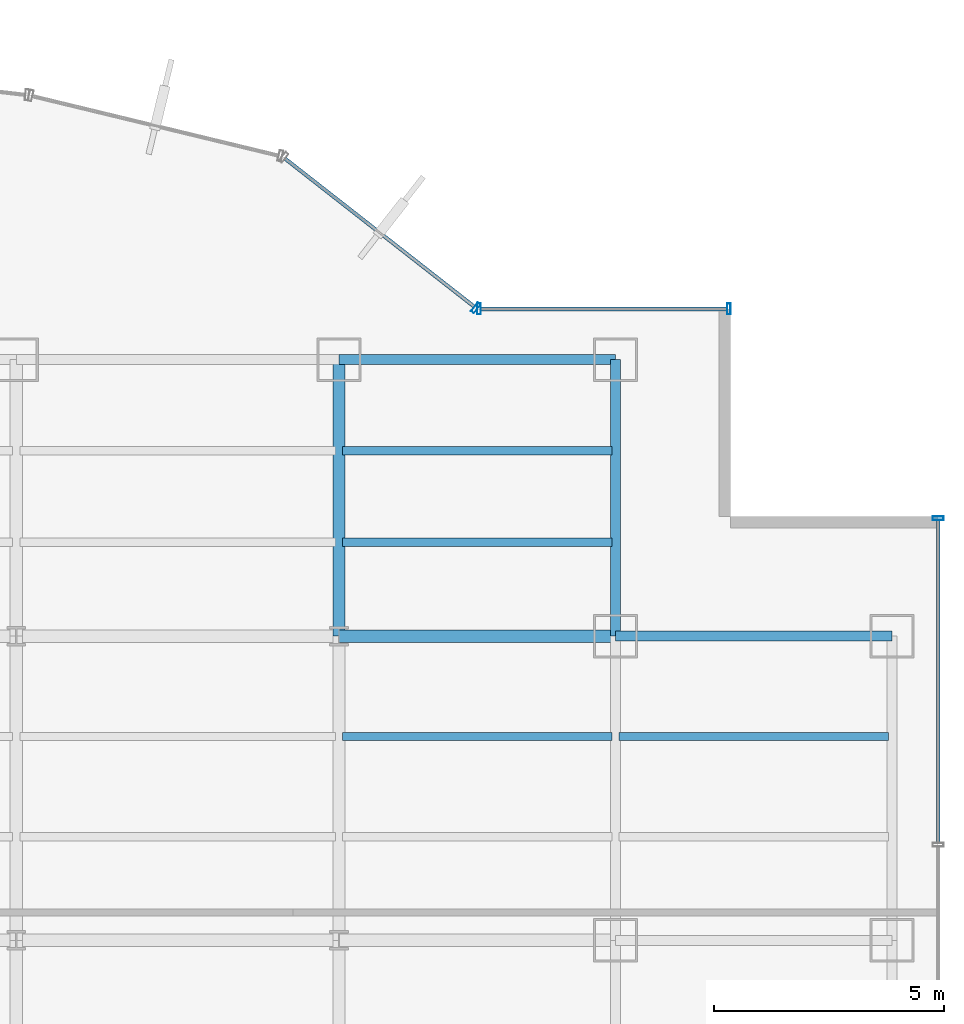
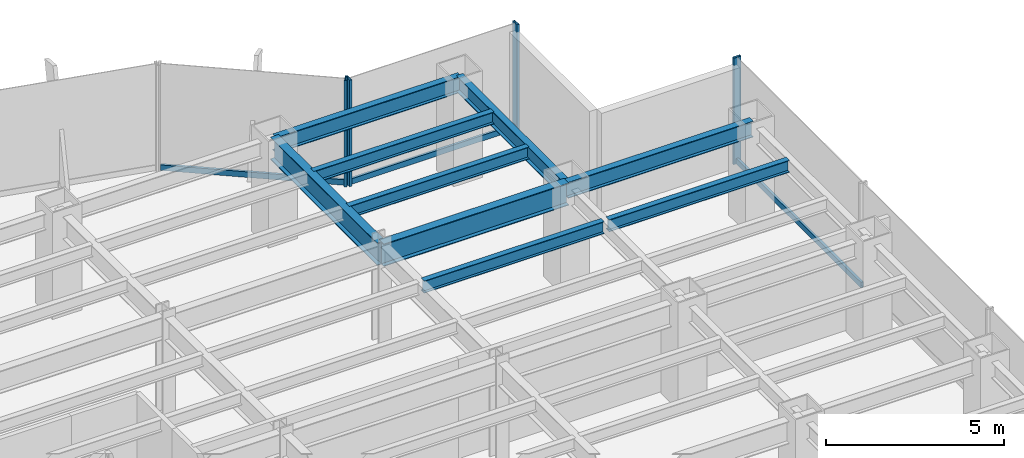
# One storey, part 15 of 22: 9 beams, 7 members, 3 elements without a shape of their own.
"""IFC4 building model written with IfcOpenShell, lengths in metres."""

from ifc_helpers import new_model, si_unit, derived_unit, direction, frame, origin, origin_2d, place, context, subcontext, project, spatial, hollow_rectangle, i_section, extrude, source, transform, mapped, material, material_profile, profile_set, type_object, element, aggregate, save


model = new_model("IFC4")

# Units and contexts
model_context = context("Model", 3, precision=1e-05, world=origin(), true_north=direction((0.0, 1.0)))
body_context = subcontext(model_context, "Body", "Model", "MODEL_VIEW")
ifc_project = project(units=[si_unit("LENGTHUNIT", "METRE"), si_unit("AREAUNIT", "SQUARE_METRE"), si_unit("VOLUMEUNIT", "CUBIC_METRE"), si_unit("PLANEANGLEUNIT", "RADIAN"), si_unit("MASSUNIT", "GRAM", prefix="KILO"), derived_unit("THERMALTRANSMITTANCEUNIT", [(si_unit("POWERUNIT", "WATT"), 1), (si_unit("LENGTHUNIT", "METRE"), -2), (si_unit("THERMODYNAMICTEMPERATUREUNIT", "KELVIN"), -1)])], contexts=[model_context])

# Site, building, storey
site_placement = place(None, origin())
site = spatial("IfcSite", under=ifc_project, at=site_placement, CompositionType="ELEMENT")
building_placement = place(site_placement, origin())
building = spatial("IfcBuilding", under=site, at=building_placement, Name="Skarnbrae Concourse Arena and Tower", CompositionType="ELEMENT")
storey_placement = place(building_placement, frame((0.0, 0.0, 72.64990234375)))
storey = spatial("IfcBuildingStorey", under=building, at=storey_placement, Name="L17", CompositionType="ELEMENT", Elevation=72.64990234375)

# Beams
ifc_material_1 = material(Name="Steel CSA G40.21 350W", Category="steel")
ifc_material_profile_1 = material_profile(ifc_material_1, i_section(OverallWidth=0.214111328125, OverallDepth=0.549072265625, WebThickness=0.0146484375, FlangeThickness=0.023681640625, at=origin_2d()), Name="W530X138")
ifc_profile_set_1 = profile_set([ifc_material_profile_1], Name="Steel CSA G40.21 350W")
beam_type_1 = type_object("IfcBeamType", Name="BM-SPAN-W530X138", PredefinedType="SPANDREL", material=ifc_profile_set_1)
shared_shape_1 = source(origin(), body_context, "Body", "SweptSolid", [
    extrude(i_section(OverallWidth=0.214111328125, OverallDepth=0.549072265625, WebThickness=0.0146484375, FlangeThickness=0.023681640625, at=origin_2d()), origin(), (0.0, 0.0, 1.0), 6.0),
])
for number, where, z_axis, x_axis, name in (
    (1, (55.0, 34.39990234375, 3.12548828125), (1.0, 0.0, 0.0), (0.0, 1.0, 0.0), "L17 Perimeter spandrel Y34.4-9"),
    (2, (49.0, 40.39990234375, 3.12548828125), (1.0, 0.0, 0.0), (0.0, 1.0, 0.0), "L17 Perimeter spandrel Y40.4-7"),
    (3, (55.0, 34.39990234375, 3.12548828125), (0.0, 1.0, 0.0), (-1.0, 0.0, 0.0), "L17 Perimeter spandrel X55.0-5"),
):
    element("IfcBeam", number, at=place(storey_placement, frame(where, z_axis=z_axis, x_axis=x_axis)), inside=storey, type_object=beam_type_1, Name=name, PredefinedType="SPANDREL", context=body_context, shape_type="MappedRepresentation", body=[
        mapped(shared_shape_1, transform((0.0, 0.0, 0.0))),
    ])
ifc_material_profile_2 = material_profile(ifc_material_1, i_section(OverallWidth=0.26806640625, OverallDepth=0.77001953125, WebThickness=0.015625, FlangeThickness=0.025390625, at=origin_2d()), Name="W760X196")
ifc_profile_set_2 = profile_set([ifc_material_profile_2], Name="Steel CSA G40.21 350W")
beam_type_2 = type_object("IfcBeamType", Name="BM-GIRD-W760X196", PredefinedType="BEAM", material=ifc_profile_set_2)
shared_shape_2 = source(origin(), body_context, "Body", "SweptSolid", [
    extrude(i_section(OverallWidth=0.26806640625, OverallDepth=0.77001953125, WebThickness=0.015625, FlangeThickness=0.025390625, at=origin_2d()), origin(), (0.0, 0.0, 1.0), 6.0),
])
for number, where, z_axis, x_axis, name in (
    (4, (49.0, 34.39990234375, 3.01513671875), (1.0, 0.0, 0.0), (0.0, 1.0, 0.0), "L17 Primary E-W girder Y34.4-8"),
    (5, (49.0, 34.39990234375, 3.01513671875), (0.0, 1.0, 0.0), (-1.0, 0.0, 0.0), "L17 Primary N-S girder X49.0-5"),
):
    element("IfcBeam", number, at=place(storey_placement, frame(where, z_axis=z_axis, x_axis=x_axis)), inside=storey, type_object=beam_type_2, Name=name, PredefinedType="BEAM", context=body_context, shape_type="MappedRepresentation", body=[
        mapped(shared_shape_2, transform((0.0, 0.0, 0.0))),
    ])
ifc_material_profile_3 = material_profile(ifc_material_1, i_section(OverallWidth=0.180908203125, OverallDepth=0.4169921875, WebThickness=0.010986328125, FlangeThickness=0.018310546875, at=origin_2d()), Name="W410X85")
ifc_profile_set_3 = profile_set([ifc_material_profile_3], Name="Steel CSA G40.21 350W")
beam_type_3 = type_object("IfcBeamType", Name="BM-JOIST-W410X85", PredefinedType="JOIST", material=ifc_profile_set_3)
shared_shape_3 = source(origin(), body_context, "Body", "SweptSolid", [
    extrude(i_section(OverallWidth=0.180908203125, OverallDepth=0.4169921875, WebThickness=0.010986328125, FlangeThickness=0.018310546875, at=origin_2d()), origin(), (0.0, 0.0, 1.0), 5.83984375),
])
for number, where, z_axis, x_axis, name in (
    (6, (49.080078125, 32.221923828125, 3.191650390625), (1.0, 0.0, 0.0), (0.0, 1.0, 0.0), "L17 Secondary floor joist 3.2.8"),
    (7, (55.080078125, 32.221923828125, 3.191650390625), (1.0, 0.0, 0.0), (0.0, 1.0, 0.0), "L17 Secondary floor joist 3.2.9"),
    (8, (49.080078125, 36.43994140625, 3.191650390625), (1.0, 0.0, 0.0), (0.0, 1.0, 0.0), "L17 Secondary floor joist 4.1.7"),
    (9, (49.080078125, 38.419921875, 3.191650390625), (1.0, 0.0, 0.0), (0.0, 1.0, 0.0), "L17 Secondary floor joist 4.2.7"),
):
    element("IfcBeam", number, at=place(storey_placement, frame(where, z_axis=z_axis, x_axis=x_axis)), inside=storey, type_object=beam_type_3, Name=name, PredefinedType="JOIST", context=body_context, shape_type="MappedRepresentation", body=[
        mapped(shared_shape_3, transform((0.0, 0.0, 0.0))),
    ])

# Curtain wall, member
ifc_material_2 = material(Name="Bronze anodised aluminium 6063-T6", Category="aluminium")
curtain_wall_type = type_object("IfcCurtainWallType", Name="CW-SYS-02-LOWZONE", PredefinedType="USERDEFINED", material=ifc_material_2)
curtain_wall_1_placement = place(storey_placement, origin())
curtain_wall_1 = element("IfcCurtainWall", 10, at=curtain_wall_1_placement, inside=storey, type_object=curtain_wall_type, Name="L17 Unitised curtain wall CW-L17-E04", ObjectType="UNITISED CURTAIN WALL", PredefinedType="USERDEFINED")
ifc_material_profile_4 = material_profile(ifc_material_2, hollow_rectangle(XDim=0.080078125, YDim=0.18994140625, WallThickness=0.0048828125, at=origin_2d()), Name="ALU-TRAN-80X190")
ifc_profile_set_4 = profile_set([ifc_material_profile_4], Name="Bronze anodised aluminium 6063-T6")
member_type_1 = type_object("IfcMemberType", Name="CWT-CW-02", PredefinedType="USERDEFINED", material=ifc_profile_set_4)
shared_shape_4 = source(origin(), body_context, "Body", "SweptSolid", [
    extrude(hollow_rectangle(XDim=0.080078125, YDim=0.18994140625, WallThickness=0.0048828125, at=origin_2d()), origin(), (0.0, 0.0, 1.0), 7.0048828125),
])
member_1_placement = place(storey_placement, frame((62.0, 29.9150390625, 0.09521484375), z_axis=(0.0, 1.0, 0.0), x_axis=(-1.0, 0.0, 0.0)))
member_1 = element("IfcMember", 11, at=member_1_placement, type_object=member_type_1, Name="CW-L17-E04 Transom 4", ObjectType="TRANSOM", PredefinedType="USERDEFINED", context=body_context, shape_type="MappedRepresentation", body=[
    mapped(shared_shape_4, transform((0.0, 0.0, 0.0))),
])

curtain_wall_2_placement = place(storey_placement, origin())
curtain_wall_2 = element("IfcCurtainWall", 12, at=curtain_wall_2_placement, inside=storey, type_object=curtain_wall_type, Name="L17 Unitised curtain wall CW-L17-E07", ObjectType="UNITISED CURTAIN WALL", PredefinedType="USERDEFINED")
shared_shape_5 = source(origin(), body_context, "Body", "SweptSolid", [
    extrude(hollow_rectangle(XDim=0.080078125, YDim=0.18994140625, WallThickness=0.0048828125, at=origin_2d()), origin(), (0.0, 0.0, 1.0), 5.33984375),
])
member_2_placement = place(storey_placement, frame((57.419921875, 41.5, 0.09521484375), z_axis=(-1.0, 0.0, 0.0), x_axis=(0.0, -1.0, 0.0)))
member_2 = element("IfcMember", 13, at=member_2_placement, type_object=member_type_1, Name="CW-L17-E07 Transom 1", ObjectType="TRANSOM", PredefinedType="USERDEFINED", context=body_context, shape_type="MappedRepresentation", body=[
    mapped(shared_shape_5, transform((0.0, 0.0, 0.0))),
])

curtain_wall_3_placement = place(storey_placement, origin())
curtain_wall_3 = element("IfcCurtainWall", 14, at=curtain_wall_3_placement, inside=storey, type_object=curtain_wall_type, Name="L17 Unitised curtain wall CW-L17-E08", ObjectType="UNITISED CURTAIN WALL", PredefinedType="USERDEFINED")
shared_shape_6 = source(origin(), body_context, "Body", "SweptSolid", [
    extrude(hollow_rectangle(XDim=0.080078125, YDim=0.18994140625, WallThickness=0.0048828125, at=origin_2d()), origin(), (0.0, 0.0, 1.0), 5.215087890625),
])
member_3_placement = place(storey_placement, frame((51.93701171875, 41.54931640625, 0.09521484375), z_axis=(-0.787650196702, 0.616122688784, 0.0), x_axis=(-0.616122688784, -0.787650196702, 0.0)))
member_3 = element("IfcMember", 15, at=member_3_placement, type_object=member_type_1, Name="CW-L17-E08 Transom 1", ObjectType="TRANSOM", PredefinedType="USERDEFINED", context=body_context, shape_type="MappedRepresentation", body=[
    mapped(shared_shape_6, transform((0.0, 0.0, 0.0))),
])

# Member
ifc_material_profile_5 = material_profile(ifc_material_2, hollow_rectangle(XDim=0.080078125, YDim=0.239990234375, WallThickness=0.0048828125, at=origin_2d()), Name="ALU-MULL-80X240")
ifc_profile_set_5 = profile_set([ifc_material_profile_5], Name="Bronze anodised aluminium 6063-T6")
member_type_2 = type_object("IfcMemberType", Name="CWM-CW-02", PredefinedType="MULLION", material=ifc_profile_set_5)
shared_shape_7 = source(origin(), body_context, "Body", "SweptSolid", [
    extrude(hollow_rectangle(XDim=0.080078125, YDim=0.239990234375, WallThickness=0.0048828125, at=origin_2d()), origin(), (0.0, 0.0, 1.0), 3.650146484375),
])
member_4_placement = place(storey_placement, frame((62.0, 36.9599609375, 0.0), z_axis=(0.0, 0.0, 1.0), x_axis=(0.0, 1.0, 0.0)))
member_4 = element("IfcMember", 16, at=member_4_placement, type_object=member_type_2, Name="CW-L17-E04 Mullion 5", PredefinedType="MULLION", context=body_context, shape_type="MappedRepresentation", body=[
    mapped(shared_shape_7, transform((0.0, 0.0, 0.0))),
])

aggregate(curtain_wall_1, [member_4, member_1])

member_5_placement = place(storey_placement, frame((57.4599609375, 41.5, 0.0), z_axis=(0.0, 0.0, 1.0), x_axis=(-1.0, 0.0, 0.0)))
member_5 = element("IfcMember", 17, at=member_5_placement, type_object=member_type_2, Name="CW-L17-E07 Mullion 1", PredefinedType="MULLION", context=body_context, shape_type="MappedRepresentation", body=[
    mapped(shared_shape_7, transform((0.0, 0.0, 0.0))),
])

member_6_placement = place(storey_placement, frame((52.0400390625, 41.5, 0.0), z_axis=(0.0, 0.0, 1.0), x_axis=(-1.0, 0.0, 0.0)))
member_6 = element("IfcMember", 18, at=member_6_placement, type_object=member_type_2, Name="CW-L17-E07 Mullion 2", PredefinedType="MULLION", context=body_context, shape_type="MappedRepresentation", body=[
    mapped(shared_shape_7, transform((0.0, 0.0, 0.0))),
])

aggregate(curtain_wall_2, [member_5, member_6, member_2])

member_7_placement = place(storey_placement, frame((51.968505859375, 41.524658203125, 0.0), z_axis=(0.0, 0.0, 1.0), x_axis=(-0.787651726054, 0.616120733658, 0.0)))
member_7 = element("IfcMember", 19, at=member_7_placement, type_object=member_type_2, Name="CW-L17-E08 Mullion 1", PredefinedType="MULLION", context=body_context, shape_type="MappedRepresentation", body=[
    mapped(shared_shape_7, transform((0.0, 0.0, 0.0))),
])

aggregate(curtain_wall_3, [member_7, member_3])

save(model, "model.ifc")
